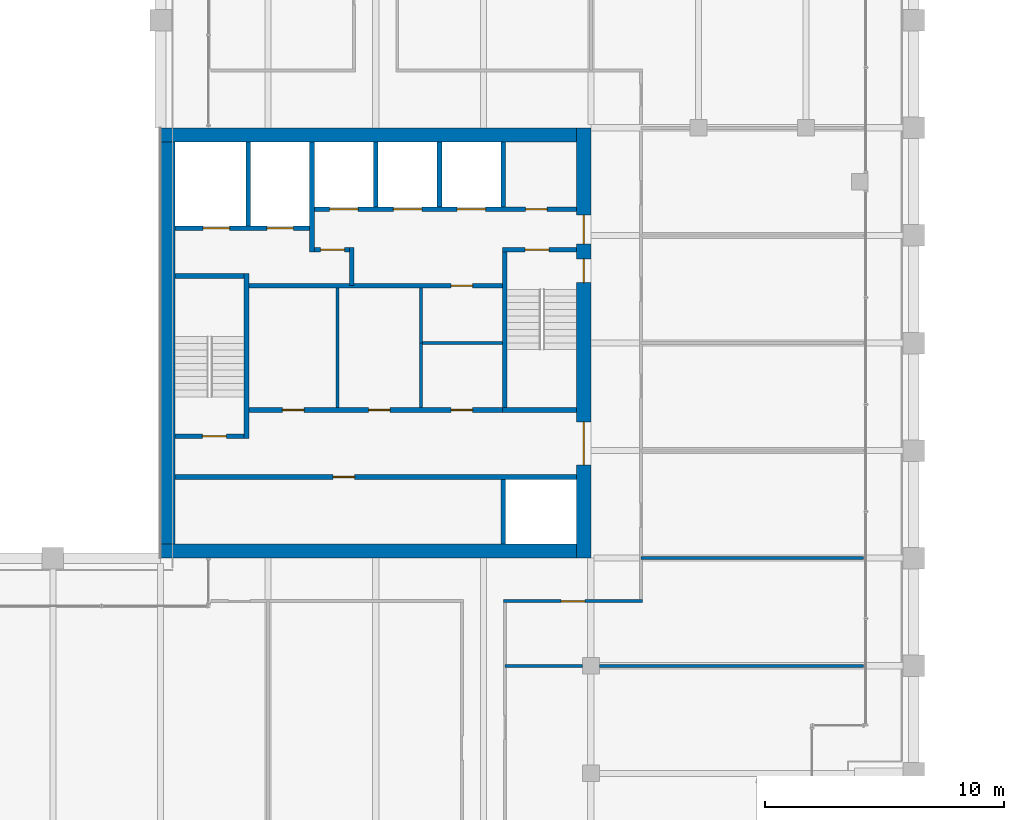
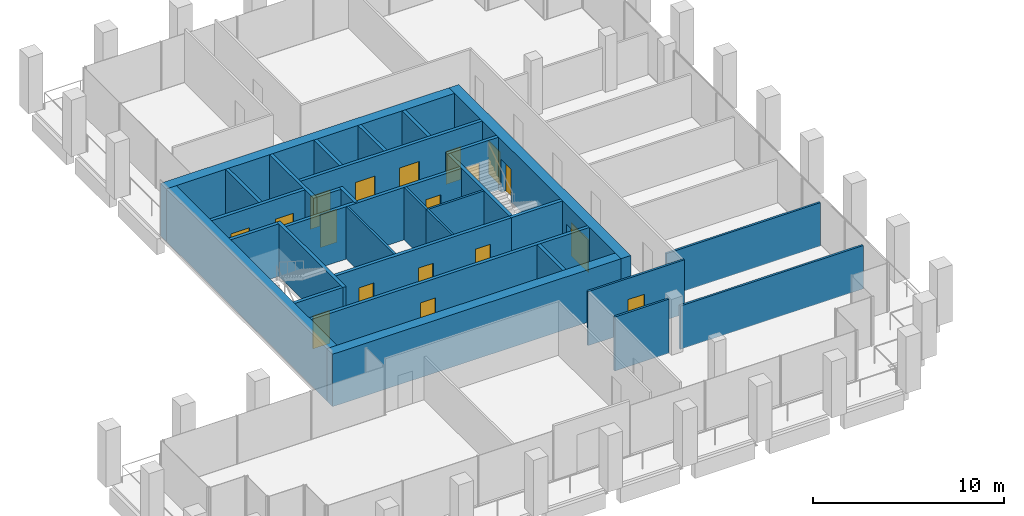
# One storey, part 36 of 40: 31 walls, 18 doors, 18 openings.
"""IFC4 building model written with IfcOpenShell, lengths in metres."""

from ifc_helpers import new_model, si_unit, direction, frame, frame_2d, origin, place, context, subcontext, project, spatial, rectangle, extrude, material, layer, layer_set, type_object, element, fill, save


model = new_model("IFC4")

# Units and contexts
model_context = context("Model", 3, precision=1e-05, world=origin(), true_north=direction((0.0, 1.0)))
body_context = subcontext(model_context, "Body", "Model", "MODEL_VIEW")
ifc_project = project(units=[si_unit("LENGTHUNIT", "METRE"), si_unit("AREAUNIT", "SQUARE_METRE"), si_unit("VOLUMEUNIT", "CUBIC_METRE"), si_unit("PLANEANGLEUNIT", "RADIAN"), si_unit("MASSUNIT", "GRAM", prefix="KILO")], contexts=[model_context])

# Site, building, storey
site_placement = place(None, origin())
site = spatial("IfcSite", under=ifc_project, at=site_placement, CompositionType="ELEMENT")
building_placement = place(site_placement, origin())
building = spatial("IfcBuilding", under=site, at=building_placement, Name="Altepetl Exchange Towers", CompositionType="ELEMENT")
storey_placement = place(building_placement, frame((0.0, 0.0, 147.39990234375)))
storey = spatial("IfcBuildingStorey", under=building, at=storey_placement, Name="L36", CompositionType="ELEMENT", Elevation=147.39990234375)

# Wall, openings, doors
ifc_material_1 = material(Name="Concrete C70/85", Category="concrete")
ifc_layer_1 = layer(ifc_material_1, 0.60009765625)
ifc_layer_set_1 = layer_set([ifc_layer_1], Name="Concrete C70/85")
wall_type_1 = type_object("IfcWallType", Name="Core wall 600 reinforced concrete", PredefinedType="SHEAR", material=ifc_layer_set_1)
wall_1_placement = place(storey_placement, frame((58.199951171875, 40.5, 0.0), z_axis=(0.0, 0.0, 1.0), x_axis=(0.0, 1.0, 0.0)))
wall_1 = element("IfcWall", 1, at=wall_1_placement, inside=storey, type_object=wall_type_1, Name="wall:A:L36:K-coreE", PredefinedType="SHEAR", context=body_context, shape_type="SweptSolid", body=[
    extrude(rectangle(XDim=18.0, YDim=0.60009765625, at=frame_2d((9.0, 0.0))), origin(), (0.0, 0.0, 1.0), 3.35009765625),
])
opening_1_placement = place(wall_1_placement, frame((13.14990234375, 0.0, 0.0)))
opening_1 = element("IfcOpeningElement", 2, at=opening_1_placement, cuts=wall_1, Name="Opening L36.A60", PredefinedType="OPENING", context=body_context, shape_type="SweptSolid", body=[
    extrude(rectangle(XDim=1.199951171875, YDim=2.10009765625, at=frame_2d((0.60009765625, 1.050048828125))), frame((0.0, 0.31005859375, 0.0), z_axis=(0.0, -1.0, 0.0), x_axis=(1.0, 0.0, 0.0)), (0.0, 0.0, 1.0), 0.6201171875),
])
opening_2_placement = place(wall_1_placement, frame((3.89990234375, 0.0, 0.0)))
opening_2 = element("IfcOpeningElement", 3, at=opening_2_placement, cuts=wall_1, Name="Opening L36.A61", PredefinedType="OPENING", context=body_context, shape_type="SweptSolid", body=[
    extrude(rectangle(XDim=1.800048828125, YDim=2.10009765625, at=frame_2d((0.89990234375, 1.050048828125))), frame((0.0, 0.31005859375, 0.0), z_axis=(0.0, -1.0, 0.0), x_axis=(1.0, 0.0, 0.0)), (0.0, 0.0, 1.0), 0.6201171875),
])
opening_3_placement = place(wall_1_placement, frame((11.52490234375, 0.0, 0.0)))
opening_3 = element("IfcOpeningElement", 4, at=opening_3_placement, cuts=wall_1, Name="Opening L36.A64", PredefinedType="OPENING", context=body_context, shape_type="SweptSolid", body=[
    extrude(rectangle(XDim=1.0, YDim=2.10009765625, at=frame_2d((0.5, 1.050048828125))), frame((0.0, 0.31005859375, 0.0), z_axis=(0.0, -1.0, 0.0), x_axis=(1.0, 0.0, 0.0)), (0.0, 0.0, 1.0), 0.6201171875),
])
ifc_material_2 = material(Name="Steel and timber fire door", Category="steel")
door_type_1 = type_object("IfcDoorType", Name="Fire door 1000 x 2100 stair and lobby", OperationType="SINGLE_SWING_LEFT", PredefinedType="DOOR", material=ifc_material_2)
door_1_placement = place(opening_3_placement, origin())
door_1 = element("IfcDoor", 5, at=door_1_placement, inside=storey, type_object=door_type_1, Name="door:A:L36:K-dS2x", OperationType="SINGLE_SWING_RIGHT", OverallHeight=2.10009765625, OverallWidth=1.0, PredefinedType="DOOR", context=body_context, shape_type="SweptSolid", body=[
    extrude(rectangle(XDim=1.0, YDim=2.10009765625, at=frame_2d((0.5, 1.050048828125))), frame((0.0, 0.02490234375, 0.0), z_axis=(0.0, -1.0, 0.0), x_axis=(1.0, 0.0, 0.0)), (0.0, 0.0, 1.0), 0.050048828125),
])
fill(opening_3, door_1)
door_type_2 = type_object("IfcDoorType", Name="Fire door 1200 x 2100 lobby entry", OperationType="SINGLE_SWING_LEFT", PredefinedType="DOOR", material=ifc_material_2)
door_2_placement = place(opening_1_placement, origin())
door_2 = element("IfcDoor", 6, at=door_2_placement, inside=storey, type_object=door_type_2, Name="door:A:L36:K-dLNE", OperationType="SINGLE_SWING_RIGHT", OverallHeight=2.10009765625, OverallWidth=1.199951171875, PredefinedType="DOOR", context=body_context, shape_type="SweptSolid", body=[
    extrude(rectangle(XDim=1.199951171875, YDim=2.10009765625, at=frame_2d((0.60009765625, 1.050048828125))), frame((0.0, 0.02490234375, 0.0), z_axis=(0.0, -1.0, 0.0), x_axis=(1.0, 0.0, 0.0)), (0.0, 0.0, 1.0), 0.050048828125),
])
fill(opening_1, door_2)
door_type_3 = type_object("IfcDoorType", Name="Fire door 1800 x 2100 lobby entry", OperationType="DOUBLE_DOOR_SINGLE_SWING", PredefinedType="DOOR", material=ifc_material_2)
door_3_placement = place(opening_2_placement, origin())
door_3 = element("IfcDoor", 7, at=door_3_placement, inside=storey, type_object=door_type_3, Name="door:A:L36:K-dLSE", OperationType="DOUBLE_DOOR_SINGLE_SWING", OverallHeight=2.10009765625, OverallWidth=1.800048828125, PredefinedType="DOOR", context=body_context, shape_type="SweptSolid", body=[
    extrude(rectangle(XDim=1.800048828125, YDim=2.10009765625, at=frame_2d((0.89990234375, 1.050048828125))), frame((0.0, 0.02490234375, 0.0), z_axis=(0.0, -1.0, 0.0), x_axis=(1.0, 0.0, 0.0)), (0.0, 0.0, 1.0), 0.050048828125),
])
fill(opening_2, door_3)

# Walls
for number, where, name in (
    (8, (40.5, 58.199951171875, 0.0), "wall:A:L36:K-coreN"),
    (9, (40.5, 40.800048828125, 0.0), "wall:A:L36:K-coreS"),
):
    element("IfcWall", number, at=place(storey_placement, frame(where)), inside=storey, type_object=wall_type_1, Name=name, PredefinedType="SHEAR", context=body_context, shape_type="SweptSolid", body=[
        extrude(rectangle(XDim=17.39990234375, YDim=0.60009765625, at=frame_2d((8.699951171875, 0.0))), origin(), (0.0, 0.0, 1.0), 3.35009765625),
    ])
ifc_layer_2 = layer(ifc_material_1, 0.60009765625)
ifc_layer_set_2 = layer_set([ifc_layer_2], Name="Concrete C70/85")
wall_type_2 = type_object("IfcWallType", Name="Core wall 600 reinforced concrete external", PredefinedType="SHEAR", material=ifc_layer_set_2)
wall_2_placement = place(storey_placement, frame((40.800048828125, 41.10009765625, 0.0), z_axis=(0.0, 0.0, 1.0), x_axis=(0.0, 1.0, 0.0)))
element("IfcWall", 10, at=wall_2_placement, inside=storey, type_object=wall_type_2, Name="wall:A:L36:K-coreW", PredefinedType="SHEAR", context=body_context, shape_type="SweptSolid", body=[
    extrude(rectangle(XDim=16.7998046875, YDim=0.60009765625, at=frame_2d((8.39990234375, 0.0))), origin(), (0.0, 0.0, 1.0), 3.35009765625),
])
ifc_material_3 = material(Name="Concrete blockwork", Category="masonry")
ifc_layer_3 = layer(ifc_material_3, 0.199951171875)
ifc_layer_set_3 = layer_set([ifc_layer_3], Name="Concrete blockwork")
wall_type_3 = type_object("IfcWallType", Name="Lobby wall 200 blockwork", PredefinedType="PARTITIONING", material=ifc_layer_set_3)
wall_3_placement = place(storey_placement, frame((48.5, 51.89990234375, 0.0), z_axis=(0.0, 0.0, 1.0), x_axis=(0.0, 1.0, 0.0)))
element("IfcWall", 11, at=wall_3_placement, inside=storey, type_object=wall_type_3, Name="wall:A:L36:K-ffE", PredefinedType="PARTITIONING", context=body_context, shape_type="SweptSolid", body=[
    extrude(rectangle(XDim=1.60009765625, YDim=0.199951171875, at=frame_2d((0.800048828125, 0.0))), origin(), (0.0, 0.0, 1.0), 3.35009765625),
])

# Wall, opening, door
wall_4_placement = place(storey_placement, frame((46.933349609375, 53.39990234375, 0.0)))
wall_4 = element("IfcWall", 12, at=wall_4_placement, inside=storey, type_object=wall_type_3, Name="wall:A:L36:K-ffN", PredefinedType="PARTITIONING", context=body_context, shape_type="SweptSolid", body=[
    extrude(rectangle(XDim=1.466552734375, YDim=0.199951171875, at=frame_2d((0.7333984375, 0.0))), origin(), (0.0, 0.0, 1.0), 3.35009765625),
])
opening_4_placement = place(wall_4_placement, frame((0.2666015625, 0.0, 0.0)))
opening_4 = element("IfcOpeningElement", 13, at=opening_4_placement, cuts=wall_4, Name="Opening L36.A65", PredefinedType="OPENING", context=body_context, shape_type="SweptSolid", body=[
    extrude(rectangle(XDim=1.0, YDim=2.10009765625, at=frame_2d((0.5, 1.050048828125))), frame((0.0, 0.10986328125, 0.0), z_axis=(0.0, -1.0, 0.0), x_axis=(1.0, 0.0, 0.0)), (0.0, 0.0, 1.0), 0.219970703125),
])
door_4_placement = place(opening_4_placement, frame((1.0, 0.0, 0.0), x_axis=(-1.0, 0.0, 0.0)))
door_4 = element("IfcDoor", 14, at=door_4_placement, inside=storey, type_object=door_type_1, Name="door:A:L36:K-dffN", OperationType="SINGLE_SWING_RIGHT", OverallHeight=2.10009765625, OverallWidth=1.0, PredefinedType="DOOR", context=body_context, shape_type="SweptSolid", body=[
    extrude(rectangle(XDim=1.0, YDim=2.10009765625, at=frame_2d((0.5, 1.050048828125))), frame((0.0, 0.02490234375, 0.0), z_axis=(0.0, -1.0, 0.0), x_axis=(1.0, 0.0, 0.0)), (0.0, 0.0, 1.0), 0.050048828125),
])
fill(opening_4, door_4)

wall_5_placement = place(storey_placement, frame((44.199951171875, 51.89990234375, 0.0)))
wall_5 = element("IfcWall", 15, at=wall_5_placement, inside=storey, type_object=wall_type_3, Name="wall:A:L36:K-zoneN", PredefinedType="PARTITIONING", context=body_context, shape_type="SweptSolid", body=[
    extrude(rectangle(XDim=10.60009765625, YDim=0.199951171875, at=frame_2d((5.300048828125, 0.0))), origin(), (0.0, 0.0, 1.0), 3.35009765625),
])
opening_5_placement = place(wall_5_placement, frame((8.449951171875, 0.0, 0.0)))
opening_5 = element("IfcOpeningElement", 16, at=opening_5_placement, cuts=wall_5, Name="Opening L36.A71", PredefinedType="OPENING", context=body_context, shape_type="SweptSolid", body=[
    extrude(rectangle(XDim=0.89990234375, YDim=2.10009765625, at=frame_2d((0.449951171875, 1.050048828125))), frame((0.0, 0.10986328125, 0.0), z_axis=(0.0, -1.0, 0.0), x_axis=(1.0, 0.0, 0.0)), (0.0, 0.0, 1.0), 0.219970703125),
])
door_type_4 = type_object("IfcDoorType", Name="Fire door 900 x 2100 service room", OperationType="SINGLE_SWING_LEFT", PredefinedType="DOOR", material=ifc_material_2)
door_5_placement = place(opening_5_placement, frame((0.89990234375, 0.0, 0.0), x_axis=(-1.0, 0.0, 0.0)))
door_5 = element("IfcDoor", 17, at=door_5_placement, inside=storey, type_object=door_type_4, Name="door:A:L36:K-dz4", OperationType="SINGLE_SWING_LEFT", OverallHeight=2.10009765625, OverallWidth=0.89990234375, PredefinedType="DOOR", context=body_context, shape_type="SweptSolid", body=[
    extrude(rectangle(XDim=0.89990234375, YDim=2.10009765625, at=frame_2d((0.449951171875, 1.050048828125))), frame((0.0, 0.02490234375, 0.0), z_axis=(0.0, -1.0, 0.0), x_axis=(1.0, 0.0, 0.0)), (0.0, 0.0, 1.0), 0.050048828125),
])
fill(opening_5, door_5)

# Wall, openings, doors
wall_6_placement = place(storey_placement, frame((44.199951171875, 46.699951171875, 0.0)))
wall_6 = element("IfcWall", 18, at=wall_6_placement, inside=storey, type_object=wall_type_3, Name="wall:A:L36:K-zoneS", PredefinedType="PARTITIONING", context=body_context, shape_type="SweptSolid", body=[
    extrude(rectangle(XDim=10.60009765625, YDim=0.199951171875, at=frame_2d((5.300048828125, 0.0))), origin(), (0.0, 0.0, 1.0), 3.35009765625),
])
opening_6_placement = place(wall_6_placement, frame((1.39990234375, 0.0, 0.0)))
opening_6 = element("IfcOpeningElement", 19, at=opening_6_placement, cuts=wall_6, Name="Opening L36.A68", PredefinedType="OPENING", context=body_context, shape_type="SweptSolid", body=[
    extrude(rectangle(XDim=0.89990234375, YDim=2.10009765625, at=frame_2d((0.449951171875, 1.050048828125))), frame((0.0, 0.10986328125, 0.0), z_axis=(0.0, -1.0, 0.0), x_axis=(1.0, 0.0, 0.0)), (0.0, 0.0, 1.0), 0.219970703125),
])
opening_7_placement = place(wall_6_placement, frame((5.0, 0.0, 0.0)))
opening_7 = element("IfcOpeningElement", 20, at=opening_7_placement, cuts=wall_6, Name="Opening L36.A69", PredefinedType="OPENING", context=body_context, shape_type="SweptSolid", body=[
    extrude(rectangle(XDim=0.89990234375, YDim=2.10009765625, at=frame_2d((0.449951171875, 1.050048828125))), frame((0.0, 0.10986328125, 0.0), z_axis=(0.0, -1.0, 0.0), x_axis=(1.0, 0.0, 0.0)), (0.0, 0.0, 1.0), 0.219970703125),
])
opening_8_placement = place(wall_6_placement, frame((8.449951171875, 0.0, 0.0)))
opening_8 = element("IfcOpeningElement", 21, at=opening_8_placement, cuts=wall_6, Name="Opening L36.A70", PredefinedType="OPENING", context=body_context, shape_type="SweptSolid", body=[
    extrude(rectangle(XDim=0.89990234375, YDim=2.10009765625, at=frame_2d((0.449951171875, 1.050048828125))), frame((0.0, 0.10986328125, 0.0), z_axis=(0.0, -1.0, 0.0), x_axis=(1.0, 0.0, 0.0)), (0.0, 0.0, 1.0), 0.219970703125),
])
door_6_placement = place(opening_6_placement, origin())
door_6 = element("IfcDoor", 22, at=door_6_placement, inside=storey, type_object=door_type_4, Name="door:A:L36:K-dz1", OperationType="SINGLE_SWING_LEFT", OverallHeight=2.10009765625, OverallWidth=0.89990234375, PredefinedType="DOOR", context=body_context, shape_type="SweptSolid", body=[
    extrude(rectangle(XDim=0.89990234375, YDim=2.10009765625, at=frame_2d((0.449951171875, 1.050048828125))), frame((0.0, 0.02490234375, 0.0), z_axis=(0.0, -1.0, 0.0), x_axis=(1.0, 0.0, 0.0)), (0.0, 0.0, 1.0), 0.050048828125),
])
fill(opening_6, door_6)
door_7_placement = place(opening_7_placement, origin())
door_7 = element("IfcDoor", 23, at=door_7_placement, inside=storey, type_object=door_type_4, Name="door:A:L36:K-dz2", OperationType="SINGLE_SWING_RIGHT", OverallHeight=2.10009765625, OverallWidth=0.89990234375, PredefinedType="DOOR", context=body_context, shape_type="SweptSolid", body=[
    extrude(rectangle(XDim=0.89990234375, YDim=2.10009765625, at=frame_2d((0.449951171875, 1.050048828125))), frame((0.0, 0.02490234375, 0.0), z_axis=(0.0, -1.0, 0.0), x_axis=(1.0, 0.0, 0.0)), (0.0, 0.0, 1.0), 0.050048828125),
])
fill(opening_7, door_7)
door_8_placement = place(opening_8_placement, origin())
door_8 = element("IfcDoor", 24, at=door_8_placement, inside=storey, type_object=door_type_4, Name="door:A:L36:K-dz3", OperationType="SINGLE_SWING_RIGHT", OverallHeight=2.10009765625, OverallWidth=0.89990234375, PredefinedType="DOOR", context=body_context, shape_type="SweptSolid", body=[
    extrude(rectangle(XDim=0.89990234375, YDim=2.10009765625, at=frame_2d((0.449951171875, 1.050048828125))), frame((0.0, 0.02490234375, 0.0), z_axis=(0.0, -1.0, 0.0), x_axis=(1.0, 0.0, 0.0)), (0.0, 0.0, 1.0), 0.050048828125),
])
fill(opening_8, door_8)

# Walls
ifc_material_4 = material(Name="Gypsum board on steel studs", Category="steel")
ifc_layer_4 = layer(ifc_material_4, 0.125)
ifc_layer_set_4 = layer_set([ifc_layer_4], Name="Gypsum board on steel studs")
wall_type_4 = type_object("IfcWallType", Name="Partition 125 gypsum board on steel studs", PredefinedType="PARTITIONING", material=ifc_layer_set_4)
wall_7_placement = place(storey_placement, frame((47.89990234375, 46.800048828125, 0.0), z_axis=(0.0, 0.0, 1.0), x_axis=(0.0, 1.0, 0.0)))
element("IfcWall", 25, at=wall_7_placement, inside=storey, type_object=wall_type_4, Name="wall:A:L36:K-zp1", PredefinedType="PARTITIONING", context=body_context, shape_type="SweptSolid", body=[
    extrude(rectangle(XDim=5.0, YDim=0.125, at=frame_2d((2.5, 0.0))), origin(), (0.0, 0.0, 1.0), 3.35009765625),
])
wall_8_placement = place(storey_placement, frame((51.39990234375, 46.800048828125, 0.0), z_axis=(0.0, 0.0, 1.0), x_axis=(0.0, 1.0, 0.0)))
element("IfcWall", 26, at=wall_8_placement, inside=storey, type_object=wall_type_4, Name="wall:A:L36:K-zp2", PredefinedType="PARTITIONING", context=body_context, shape_type="SweptSolid", body=[
    extrude(rectangle(XDim=2.762451171875, YDim=0.125, at=frame_2d((1.38134765625, 0.0))), origin(), (0.0, 0.0, 1.0), 3.35009765625),
])
wall_9_placement = place(storey_placement, frame((54.800048828125, 49.5, 0.0), z_axis=(0.0, 0.0, 1.0), x_axis=(-1.0, 0.0, 0.0)))
element("IfcWall", 27, at=wall_9_placement, inside=storey, type_object=wall_type_4, Name="wall:A:L36:K-zp3", PredefinedType="PARTITIONING", context=body_context, shape_type="SweptSolid", body=[
    extrude(rectangle(XDim=3.337646484375, YDim=0.125, at=frame_2d((1.6689453125, 0.0))), origin(), (0.0, 0.0, 1.0), 3.35009765625),
])
wall_10_placement = place(storey_placement, frame((51.39990234375, 49.5, 0.0), z_axis=(0.0, 0.0, 1.0), x_axis=(0.0, 1.0, 0.0)))
element("IfcWall", 28, at=wall_10_placement, inside=storey, type_object=wall_type_4, Name="wall:A:L36:K-zp4", PredefinedType="PARTITIONING", context=body_context, shape_type="SweptSolid", body=[
    extrude(rectangle(XDim=2.300048828125, YDim=0.125, at=frame_2d((1.14990234375, 0.0))), origin(), (0.0, 0.0, 1.0), 3.35009765625),
])
wall_11_placement = place(storey_placement, frame((54.89990234375, 36.0, 0.0)))
element("IfcWall", 29, at=wall_11_placement, inside=storey, type_object=wall_type_4, Name="wall:A:L36:P01", PredefinedType="PARTITIONING", context=body_context, shape_type="SweptSolid", body=[
    extrude(rectangle(XDim=3.25, YDim=0.125, at=frame_2d((1.625, 0.0))), origin(), (0.0, 0.0, 1.0), 3.4501953125),
])
wall_12_placement = place(storey_placement, frame((58.85009765625, 36.0, 0.0)))
element("IfcWall", 30, at=wall_12_placement, inside=storey, type_object=wall_type_4, Name="wall:A:L36:P02", PredefinedType="PARTITIONING", context=body_context, shape_type="SweptSolid", body=[
    extrude(rectangle(XDim=11.0498046875, YDim=0.125, at=frame_2d((5.52490234375, 0.0))), origin(), (0.0, 0.0, 1.0), 2.76611328125),
])

# Wall, opening, door
wall_13_placement = place(storey_placement, frame((54.83740234375, 38.699951171875, 0.0)))
wall_13 = element("IfcWall", 31, at=wall_13_placement, inside=storey, type_object=wall_type_4, Name="wall:A:L36:P04", PredefinedType="PARTITIONING", context=body_context, shape_type="SweptSolid", body=[
    extrude(rectangle(XDim=5.8251953125, YDim=0.125, at=frame_2d((2.91259765625, 0.0))), origin(), (0.0, 0.0, 1.0), 3.4501953125),
])
opening_9_placement = place(wall_13_placement, frame((2.41259765625, 0.0, 0.0)))
opening_9 = element("IfcOpeningElement", 32, at=opening_9_placement, cuts=wall_13, Name="Opening L36.A04", PredefinedType="OPENING", context=body_context, shape_type="SweptSolid", body=[
    extrude(rectangle(XDim=1.0, YDim=2.10009765625, at=frame_2d((0.5, 1.050048828125))), frame((0.0, 0.072509765625, 0.0), z_axis=(0.0, -1.0, 0.0), x_axis=(1.0, 0.0, 0.0)), (0.0, 0.0, 1.0), 0.14501953125),
])
door_type_5 = type_object("IfcDoorType", Name="Fire door 1000 x 2100 single leaf", OperationType="SINGLE_SWING_LEFT", PredefinedType="DOOR", material=ifc_material_2)
door_9_placement = place(opening_9_placement, frame((1.0, 0.0, 0.0), x_axis=(-1.0, 0.0, 0.0)))
door_9 = element("IfcDoor", 33, at=door_9_placement, inside=storey, type_object=door_type_5, Name="door:A:L36:04", OperationType="SINGLE_SWING_RIGHT", OverallHeight=2.10009765625, OverallWidth=1.0, PredefinedType="DOOR", context=body_context, shape_type="SweptSolid", body=[
    extrude(rectangle(XDim=1.0, YDim=2.10009765625, at=frame_2d((0.5, 1.050048828125))), frame((0.0, 0.02490234375, 0.0), z_axis=(0.0, -1.0, 0.0), x_axis=(1.0, 0.0, 0.0)), (0.0, 0.0, 1.0), 0.050048828125),
])
fill(opening_9, door_9)

# Walls
wall_14_placement = place(storey_placement, frame((60.60009765625, 40.5, 0.0)))
element("IfcWall", 34, at=wall_14_placement, inside=storey, type_object=wall_type_4, Name="wall:A:L36:P05", PredefinedType="PARTITIONING", context=body_context, shape_type="SweptSolid", body=[
    extrude(rectangle(XDim=9.2998046875, YDim=0.125, at=frame_2d((4.64990234375, 0.0))), origin(), (0.0, 0.0, 1.0), 2.76611328125),
])
ifc_material_5 = material(Name="Concrete C40/50", Category="concrete")
ifc_layer_5 = layer(ifc_material_5, 0.199951171875)
ifc_layer_set_5 = layer_set([ifc_layer_5], Name="Concrete C40/50")
wall_type_5 = type_object("IfcWallType", Name="Shaft wall 200 reinforced concrete", PredefinedType="SHEAR", material=ifc_layer_set_5)
wall_15_placement = place(storey_placement, frame((44.166748046875, 57.89990234375, 0.0), z_axis=(0.0, 0.0, 1.0), x_axis=(0.0, -1.0, 0.0)))
element("IfcWall", 35, at=wall_15_placement, inside=storey, type_object=wall_type_5, Name="wall:A:L36:K-divN1", PredefinedType="SHEAR", context=body_context, shape_type="SweptSolid", body=[
    extrude(rectangle(XDim=3.5, YDim=0.199951171875, at=frame_2d((1.75, 0.0))), origin(), (0.0, 0.0, 1.0), 3.35009765625),
])
wall_16_placement = place(storey_placement, frame((46.833251953125, 57.89990234375, 0.0), z_axis=(0.0, 0.0, 1.0), x_axis=(0.0, -1.0, 0.0)))
element("IfcWall", 36, at=wall_16_placement, inside=storey, type_object=wall_type_5, Name="wall:A:L36:K-divN2", PredefinedType="SHEAR", context=body_context, shape_type="SweptSolid", body=[
    extrude(rectangle(XDim=4.599853515625, YDim=0.199951171875, at=frame_2d((2.2998046875, 0.0))), origin(), (0.0, 0.0, 1.0), 3.35009765625),
])
for number, where, z_axis, x_axis, name in (
    (37, (49.5, 57.89990234375, 0.0), (0.0, 0.0, 1.0), (0.0, -1.0, 0.0), "wall:A:L36:K-divN3"),
    (38, (52.166748046875, 57.89990234375, 0.0), (0.0, 0.0, 1.0), (0.0, -1.0, 0.0), "wall:A:L36:K-divN4"),
    (39, (54.833251953125, 57.89990234375, 0.0), (0.0, 0.0, 1.0), (0.0, -1.0, 0.0), "wall:A:L36:K-divN5"),
    (40, (54.833251953125, 41.10009765625, 0.0), (0.0, 0.0, 1.0), (0.0, 1.0, 0.0), "wall:A:L36:K-divS5"),
):
    element("IfcWall", number, at=place(storey_placement, frame(where, z_axis=z_axis, x_axis=x_axis)), inside=storey, type_object=wall_type_5, Name=name, PredefinedType="SHEAR", context=body_context, shape_type="SweptSolid", body=[
        extrude(rectangle(XDim=2.699951171875, YDim=0.199951171875, at=frame_2d((1.35009765625, 0.0))), origin(), (0.0, 0.0, 1.0), 3.35009765625),
    ])

# Wall, openings, doors
wall_17_placement = place(storey_placement, frame((46.933349609375, 55.10009765625, 0.0)))
wall_17 = element("IfcWall", 41, at=wall_17_placement, inside=storey, type_object=wall_type_5, Name="wall:A:L36:K-frontNb", PredefinedType="SHEAR", context=body_context, shape_type="SweptSolid", body=[
    extrude(rectangle(XDim=10.966552734375, YDim=0.199951171875, at=frame_2d((5.4833984375, 0.0))), origin(), (0.0, 0.0, 1.0), 3.35009765625),
])
opening_10_placement = place(wall_17_placement, frame((8.83349609375, 0.0, 0.0)))
opening_10 = element("IfcOpeningElement", 42, at=opening_10_placement, cuts=wall_17, Name="Opening L36.A66", PredefinedType="OPENING", context=body_context, shape_type="SweptSolid", body=[
    extrude(rectangle(XDim=0.89990234375, YDim=2.10009765625, at=frame_2d((0.449951171875, 1.050048828125))), frame((0.0, 0.10986328125, 0.0), z_axis=(0.0, -1.0, 0.0), x_axis=(1.0, 0.0, 0.0)), (0.0, 0.0, 1.0), 0.219970703125),
])
opening_11_placement = place(wall_17_placement, frame((0.63330078125, 0.0, 0.0)))
opening_11 = element("IfcOpeningElement", 43, at=opening_11_placement, cuts=wall_17, Name="Opening L36.A74", PredefinedType="OPENING", context=body_context, shape_type="SweptSolid", body=[
    extrude(rectangle(XDim=1.199951171875, YDim=2.10009765625, at=frame_2d((0.60009765625, 1.050048828125))), frame((0.0, 0.10986328125, 0.0), z_axis=(0.0, -1.0, 0.0), x_axis=(1.0, 0.0, 0.0)), (0.0, 0.0, 1.0), 0.219970703125),
])
opening_12_placement = place(wall_17_placement, frame((3.300048828125, 0.0, 0.0)))
opening_12 = element("IfcOpeningElement", 44, at=opening_12_placement, cuts=wall_17, Name="Opening L36.A75", PredefinedType="OPENING", context=body_context, shape_type="SweptSolid", body=[
    extrude(rectangle(XDim=1.199951171875, YDim=2.10009765625, at=frame_2d((0.60009765625, 1.050048828125))), frame((0.0, 0.10986328125, 0.0), z_axis=(0.0, -1.0, 0.0), x_axis=(1.0, 0.0, 0.0)), (0.0, 0.0, 1.0), 0.219970703125),
])
opening_13_placement = place(wall_17_placement, frame((5.966796875, 0.0, 0.0)))
opening_13 = element("IfcOpeningElement", 45, at=opening_13_placement, cuts=wall_17, Name="Opening L36.A76", PredefinedType="OPENING", context=body_context, shape_type="SweptSolid", body=[
    extrude(rectangle(XDim=1.199951171875, YDim=2.10009765625, at=frame_2d((0.60009765625, 1.050048828125))), frame((0.0, 0.10986328125, 0.0), z_axis=(0.0, -1.0, 0.0), x_axis=(1.0, 0.0, 0.0)), (0.0, 0.0, 1.0), 0.219970703125),
])
door_10_placement = place(opening_10_placement, origin())
door_10 = element("IfcDoor", 46, at=door_10_placement, inside=storey, type_object=door_type_4, Name="door:A:L36:K-driser", OperationType="SINGLE_SWING_RIGHT", OverallHeight=2.10009765625, OverallWidth=0.89990234375, PredefinedType="DOOR", context=body_context, shape_type="SweptSolid", body=[
    extrude(rectangle(XDim=0.89990234375, YDim=2.10009765625, at=frame_2d((0.449951171875, 1.050048828125))), frame((0.0, 0.02490234375, 0.0), z_axis=(0.0, -1.0, 0.0), x_axis=(1.0, 0.0, 0.0)), (0.0, 0.0, 1.0), 0.050048828125),
])
fill(opening_10, door_10)
ifc_material_6 = material(Name="Stainless steel", Category="steel")
door_type_6 = type_object("IfcDoorType", Name="Lift landing door 1200 x 2100", OperationType="SLIDING_TO_LEFT", PredefinedType="DOOR", material=ifc_material_6)
door_11_placement = place(opening_11_placement, origin())
door_11 = element("IfcDoor", 47, at=door_11_placement, inside=storey, type_object=door_type_6, Name="Landing door P5", OperationType="SLIDING_TO_LEFT", OverallHeight=2.10009765625, OverallWidth=1.199951171875, PredefinedType="DOOR", context=body_context, shape_type="SweptSolid", body=[
    extrude(rectangle(XDim=1.199951171875, YDim=2.10009765625, at=frame_2d((0.60009765625, 1.050048828125))), frame((0.0, 0.02490234375, 0.0), z_axis=(0.0, -1.0, 0.0), x_axis=(1.0, 0.0, 0.0)), (0.0, 0.0, 1.0), 0.050048828125),
])
fill(opening_11, door_11)
door_12_placement = place(opening_12_placement, origin())
door_12 = element("IfcDoor", 48, at=door_12_placement, inside=storey, type_object=door_type_6, Name="Landing door P6", OperationType="SLIDING_TO_LEFT", OverallHeight=2.10009765625, OverallWidth=1.199951171875, PredefinedType="DOOR", context=body_context, shape_type="SweptSolid", body=[
    extrude(rectangle(XDim=1.199951171875, YDim=2.10009765625, at=frame_2d((0.60009765625, 1.050048828125))), frame((0.0, 0.02490234375, 0.0), z_axis=(0.0, -1.0, 0.0), x_axis=(1.0, 0.0, 0.0)), (0.0, 0.0, 1.0), 0.050048828125),
])
fill(opening_12, door_12)
door_13_placement = place(opening_13_placement, origin())
door_13 = element("IfcDoor", 49, at=door_13_placement, inside=storey, type_object=door_type_6, Name="Landing door P7", OperationType="SLIDING_TO_LEFT", OverallHeight=2.10009765625, OverallWidth=1.199951171875, PredefinedType="DOOR", context=body_context, shape_type="SweptSolid", body=[
    extrude(rectangle(XDim=1.199951171875, YDim=2.10009765625, at=frame_2d((0.60009765625, 1.050048828125))), frame((0.0, 0.02490234375, 0.0), z_axis=(0.0, -1.0, 0.0), x_axis=(1.0, 0.0, 0.0)), (0.0, 0.0, 1.0), 0.050048828125),
])
fill(opening_13, door_13)

wall_18_placement = place(storey_placement, frame((41.10009765625, 54.300048828125, 0.0)))
wall_18 = element("IfcWall", 50, at=wall_18_placement, inside=storey, type_object=wall_type_5, Name="wall:A:L36:K-frontNd", PredefinedType="SHEAR", context=body_context, shape_type="SweptSolid", body=[
    extrude(rectangle(XDim=5.63330078125, YDim=0.199951171875, at=frame_2d((2.816650390625, 0.0))), origin(), (0.0, 0.0, 1.0), 3.35009765625),
])
opening_14_placement = place(wall_18_placement, frame((1.183349609375, 0.0, 0.0)))
opening_14 = element("IfcOpeningElement", 51, at=opening_14_placement, cuts=wall_18, Name="Opening L36.A72", PredefinedType="OPENING", context=body_context, shape_type="SweptSolid", body=[
    extrude(rectangle(XDim=1.10009765625, YDim=2.10009765625, at=frame_2d((0.550048828125, 1.050048828125))), frame((0.0, 0.10986328125, 0.0), z_axis=(0.0, -1.0, 0.0), x_axis=(1.0, 0.0, 0.0)), (0.0, 0.0, 1.0), 0.219970703125),
])
opening_15_placement = place(wall_18_placement, frame((3.85009765625, 0.0, 0.0)))
opening_15 = element("IfcOpeningElement", 52, at=opening_15_placement, cuts=wall_18, Name="Opening L36.A73", PredefinedType="OPENING", context=body_context, shape_type="SweptSolid", body=[
    extrude(rectangle(XDim=1.10009765625, YDim=2.10009765625, at=frame_2d((0.550048828125, 1.050048828125))), frame((0.0, 0.10986328125, 0.0), z_axis=(0.0, -1.0, 0.0), x_axis=(1.0, 0.0, 0.0)), (0.0, 0.0, 1.0), 0.219970703125),
])
door_type_7 = type_object("IfcDoorType", Name="Lift landing door 1100 x 2100", OperationType="SLIDING_TO_LEFT", PredefinedType="DOOR", material=ifc_material_6)
door_14_placement = place(opening_14_placement, origin())
door_14 = element("IfcDoor", 53, at=door_14_placement, inside=storey, type_object=door_type_7, Name="Landing door FFL1", OperationType="SLIDING_TO_LEFT", OverallHeight=2.10009765625, OverallWidth=1.10009765625, PredefinedType="DOOR", context=body_context, shape_type="SweptSolid", body=[
    extrude(rectangle(XDim=1.10009765625, YDim=2.10009765625, at=frame_2d((0.550048828125, 1.050048828125))), frame((0.0, 0.02490234375, 0.0), z_axis=(0.0, -1.0, 0.0), x_axis=(1.0, 0.0, 0.0)), (0.0, 0.0, 1.0), 0.050048828125),
])
fill(opening_14, door_14)
door_15_placement = place(opening_15_placement, origin())
door_15 = element("IfcDoor", 54, at=door_15_placement, inside=storey, type_object=door_type_7, Name="Landing door FFL2", OperationType="SLIDING_TO_LEFT", OverallHeight=2.10009765625, OverallWidth=1.10009765625, PredefinedType="DOOR", context=body_context, shape_type="SweptSolid", body=[
    extrude(rectangle(XDim=1.10009765625, YDim=2.10009765625, at=frame_2d((0.550048828125, 1.050048828125))), frame((0.0, 0.02490234375, 0.0), z_axis=(0.0, -1.0, 0.0), x_axis=(1.0, 0.0, 0.0)), (0.0, 0.0, 1.0), 0.050048828125),
])
fill(opening_15, door_15)

# Wall, opening, door
wall_19_placement = place(storey_placement, frame((41.10009765625, 43.89990234375, 0.0)))
wall_19 = element("IfcWall", 55, at=wall_19_placement, inside=storey, type_object=wall_type_5, Name="wall:A:L36:K-frontS", PredefinedType="SHEAR", context=body_context, shape_type="SweptSolid", body=[
    extrude(rectangle(XDim=16.7998046875, YDim=0.199951171875, at=frame_2d((8.39990234375, 0.0))), origin(), (0.0, 0.0, 1.0), 3.35009765625),
])
opening_16_placement = place(wall_19_placement, frame((6.61669921875, 0.0, 0.0)))
opening_16 = element("IfcOpeningElement", 56, at=opening_16_placement, cuts=wall_19, Name="Opening L36.A67", PredefinedType="OPENING", context=body_context, shape_type="SweptSolid", body=[
    extrude(rectangle(XDim=0.89990234375, YDim=2.10009765625, at=frame_2d((0.449951171875, 1.050048828125))), frame((0.0, 0.10986328125, 0.0), z_axis=(0.0, -1.0, 0.0), x_axis=(1.0, 0.0, 0.0)), (0.0, 0.0, 1.0), 0.219970703125),
])
door_16_placement = place(opening_16_placement, frame((0.89990234375, 0.0, 0.0), x_axis=(-1.0, 0.0, 0.0)))
door_16 = element("IfcDoor", 57, at=door_16_placement, inside=storey, type_object=door_type_4, Name="door:A:L36:K-dslotS0", OperationType="SINGLE_SWING_LEFT", OverallHeight=2.10009765625, OverallWidth=0.89990234375, PredefinedType="DOOR", context=body_context, shape_type="SweptSolid", body=[
    extrude(rectangle(XDim=0.89990234375, YDim=2.10009765625, at=frame_2d((0.449951171875, 1.050048828125))), frame((0.0, 0.02490234375, 0.0), z_axis=(0.0, -1.0, 0.0), x_axis=(1.0, 0.0, 0.0)), (0.0, 0.0, 1.0), 0.050048828125),
])
fill(opening_16, door_16)

# Walls
ifc_layer_6 = layer(ifc_material_5, 0.199951171875)
ifc_layer_set_6 = layer_set([ifc_layer_6], Name="Concrete C40/50")
wall_type_6 = type_object("IfcWallType", Name="Stair wall 200 reinforced concrete", PredefinedType="SHEAR", material=ifc_layer_set_6)
wall_20_placement = place(storey_placement, frame((44.10009765625, 45.5, 0.0), z_axis=(0.0, 0.0, 1.0), x_axis=(0.0, 1.0, 0.0)))
element("IfcWall", 58, at=wall_20_placement, inside=storey, type_object=wall_type_6, Name="wall:A:L36:K-stS1E", PredefinedType="SHEAR", context=body_context, shape_type="SweptSolid", body=[
    extrude(rectangle(XDim=6.89990234375, YDim=0.199951171875, at=frame_2d((3.449951171875, 0.0))), origin(), (0.0, 0.0, 1.0), 3.35009765625),
])
wall_21_placement = place(storey_placement, frame((41.10009765625, 52.300048828125, 0.0)))
element("IfcWall", 59, at=wall_21_placement, inside=storey, type_object=wall_type_6, Name="wall:A:L36:K-stS1N", PredefinedType="SHEAR", context=body_context, shape_type="SweptSolid", body=[
    extrude(rectangle(XDim=2.89990234375, YDim=0.199951171875, at=frame_2d((1.449951171875, 0.0))), origin(), (0.0, 0.0, 1.0), 3.35009765625),
])

# Wall, opening, door
wall_22_placement = place(storey_placement, frame((41.10009765625, 45.60009765625, 0.0)))
wall_22 = element("IfcWall", 60, at=wall_22_placement, inside=storey, type_object=wall_type_6, Name="wall:A:L36:K-stS1S", PredefinedType="SHEAR", context=body_context, shape_type="SweptSolid", body=[
    extrude(rectangle(XDim=2.89990234375, YDim=0.199951171875, at=frame_2d((1.449951171875, 0.0))), origin(), (0.0, 0.0, 1.0), 3.35009765625),
])
opening_17_placement = place(wall_22_placement, frame((1.14990234375, 0.0, 0.0)))
opening_17 = element("IfcOpeningElement", 61, at=opening_17_placement, cuts=wall_22, Name="Opening L36.A62", PredefinedType="OPENING", context=body_context, shape_type="SweptSolid", body=[
    extrude(rectangle(XDim=1.0, YDim=2.10009765625, at=frame_2d((0.5, 1.050048828125))), frame((0.0, 0.10986328125, 0.0), z_axis=(0.0, -1.0, 0.0), x_axis=(1.0, 0.0, 0.0)), (0.0, 0.0, 1.0), 0.219970703125),
])
door_17_placement = place(opening_17_placement, origin())
door_17 = element("IfcDoor", 62, at=door_17_placement, inside=storey, type_object=door_type_1, Name="door:A:L36:K-dS1in", OperationType="SINGLE_SWING_RIGHT", OverallHeight=2.10009765625, OverallWidth=1.0, PredefinedType="DOOR", context=body_context, shape_type="SweptSolid", body=[
    extrude(rectangle(XDim=1.0, YDim=2.10009765625, at=frame_2d((0.5, 1.050048828125))), frame((0.0, 0.02490234375, 0.0), z_axis=(0.0, -1.0, 0.0), x_axis=(1.0, 0.0, 0.0)), (0.0, 0.0, 1.0), 0.050048828125),
])
fill(opening_17, door_17)

wall_23_placement = place(storey_placement, frame((54.800048828125, 53.39990234375, 0.0)))
wall_23 = element("IfcWall", 63, at=wall_23_placement, inside=storey, type_object=wall_type_6, Name="wall:A:L36:K-stS2N", PredefinedType="SHEAR", context=body_context, shape_type="SweptSolid", body=[
    extrude(rectangle(XDim=3.099853515625, YDim=0.199951171875, at=frame_2d((1.5498046875, 0.0))), origin(), (0.0, 0.0, 1.0), 3.35009765625),
])
opening_18_placement = place(wall_23_placement, frame((0.949951171875, 0.0, 0.0)))
opening_18 = element("IfcOpeningElement", 64, at=opening_18_placement, cuts=wall_23, Name="Opening L36.A63", PredefinedType="OPENING", context=body_context, shape_type="SweptSolid", body=[
    extrude(rectangle(XDim=1.0, YDim=2.10009765625, at=frame_2d((0.5, 1.050048828125))), frame((0.0, 0.10986328125, 0.0), z_axis=(0.0, -1.0, 0.0), x_axis=(1.0, 0.0, 0.0)), (0.0, 0.0, 1.0), 0.219970703125),
])
door_18_placement = place(opening_18_placement, frame((1.0, 0.0, 0.0), x_axis=(-1.0, 0.0, 0.0)))
door_18 = element("IfcDoor", 65, at=door_18_placement, inside=storey, type_object=door_type_1, Name="door:A:L36:K-dS2in", OperationType="SINGLE_SWING_LEFT", OverallHeight=2.10009765625, OverallWidth=1.0, PredefinedType="DOOR", context=body_context, shape_type="SweptSolid", body=[
    extrude(rectangle(XDim=1.0, YDim=2.10009765625, at=frame_2d((0.5, 1.050048828125))), frame((0.0, 0.02490234375, 0.0), z_axis=(0.0, -1.0, 0.0), x_axis=(1.0, 0.0, 0.0)), (0.0, 0.0, 1.0), 0.050048828125),
])
fill(opening_18, door_18)

# Walls
wall_24_placement = place(storey_placement, frame((54.800048828125, 46.699951171875, 0.0)))
element("IfcWall", 66, at=wall_24_placement, inside=storey, type_object=wall_type_6, Name="wall:A:L36:K-stS2S", PredefinedType="SHEAR", context=body_context, shape_type="SweptSolid", body=[
    extrude(rectangle(XDim=3.099853515625, YDim=0.199951171875, at=frame_2d((1.5498046875, 0.0))), origin(), (0.0, 0.0, 1.0), 3.35009765625),
])
wall_25_placement = place(storey_placement, frame((54.89990234375, 46.800048828125, 0.0), z_axis=(0.0, 0.0, 1.0), x_axis=(0.0, 1.0, 0.0)))
element("IfcWall", 67, at=wall_25_placement, inside=storey, type_object=wall_type_6, Name="wall:A:L36:K-stS2W", PredefinedType="SHEAR", context=body_context, shape_type="SweptSolid", body=[
    extrude(rectangle(XDim=6.5, YDim=0.199951171875, at=frame_2d((3.25, 0.0))), origin(), (0.0, 0.0, 1.0), 3.35009765625),
])

save(model, "model.ifc")
